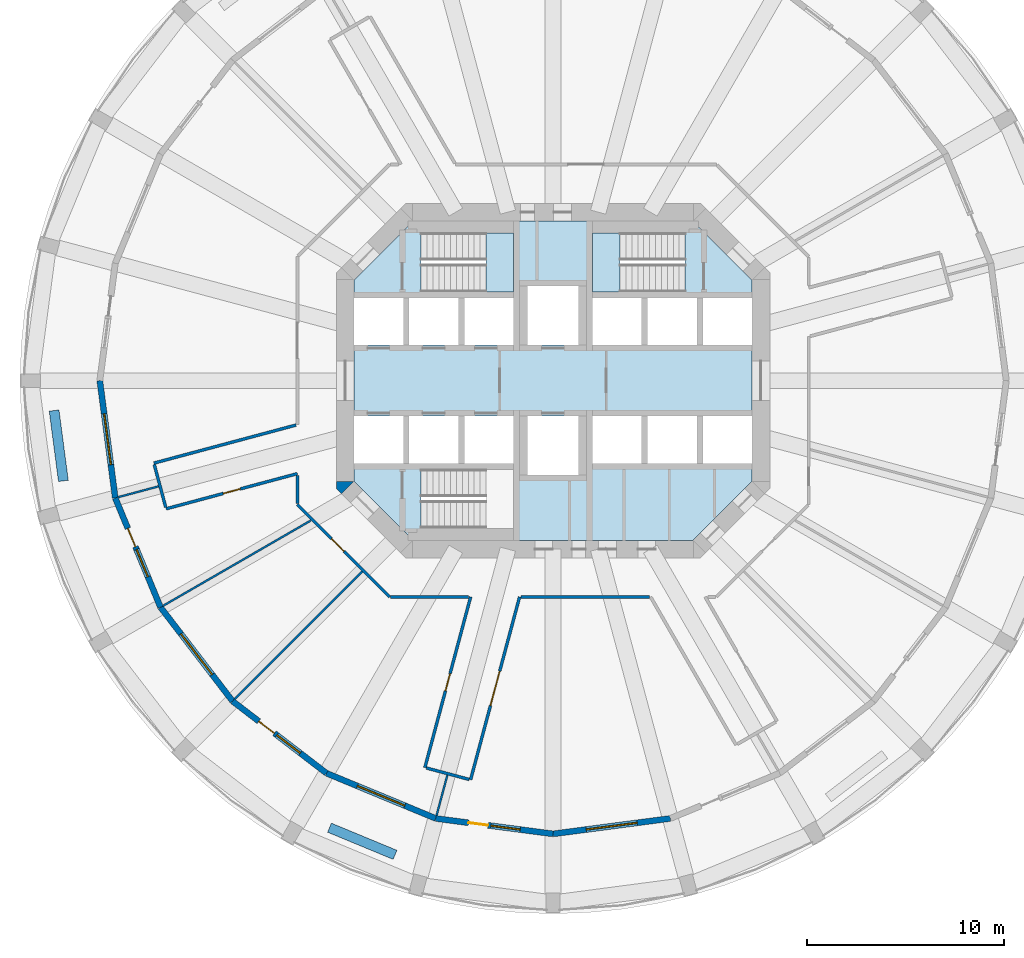
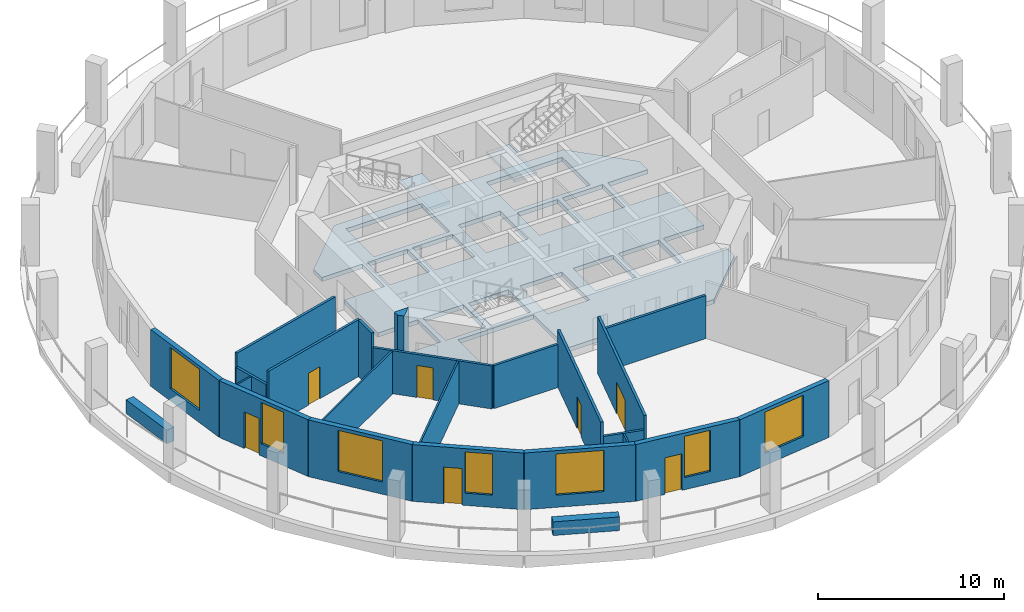
# One storey, part 2 of 9: 24 walls, 7 doors, 7 windows, 3 slabs, 14 openings, 2 elements without a shape of their own.
"""IFC4 building model written with IfcOpenShell, lengths in metres."""

from ifc_helpers import new_model, si_unit, direction, frame, frame_2d, origin, place, context, subcontext, project, spatial, polyline, rectangle, outline, extrude, material, layer, layer_set, type_object, element, fill, aggregate, save


model = new_model("IFC4")

# Units and contexts
model_context = context("Model", 3, precision=1e-05, world=origin(), true_north=direction((0.0, 1.0)))
body_context = subcontext(model_context, "Body", "Model", "MODEL_VIEW")
ifc_project = project(units=[si_unit("LENGTHUNIT", "METRE"), si_unit("AREAUNIT", "SQUARE_METRE"), si_unit("VOLUMEUNIT", "CUBIC_METRE"), si_unit("PLANEANGLEUNIT", "RADIAN"), si_unit("MASSUNIT", "GRAM", prefix="KILO")], contexts=[model_context])

# Site, building, storey
site_placement = place(None, origin())
site = spatial("IfcSite", under=ifc_project, at=site_placement, CompositionType="ELEMENT")
building_placement = place(site_placement, origin())
building = spatial("IfcBuilding", under=site, at=building_placement, Name="Torre Triforio", CompositionType="ELEMENT")
storey_placement = place(building_placement, frame((0.0, 0.0, 59.0)))
storey = spatial("IfcBuildingStorey", under=building, at=storey_placement, Name="L12", CompositionType="ELEMENT", Elevation=59.0)

# Slab
ifc_material_1 = material(Name="Concrete C60", Category="concrete")
ifc_layer_1 = layer(ifc_material_1, 0.280029296875)
ifc_layer_set_1 = layer_set([ifc_layer_1], Name="Concrete C60")
slab_type_1 = type_object("IfcSlabType", Name="Core floor slab 280 mm C60 REI 120", PredefinedType="FLOOR", material=ifc_layer_set_1)
slab_1_placement = place(storey_placement, frame((0.0, 0.0, -0.280029296875)))
element("IfcSlab", 1, at=slab_1_placement, inside=storey, type_object=slab_type_1, Name="Core floor slab", PredefinedType="FLOOR", context=body_context, shape_type="SweptSolid", body=[
    extrude(outline(polyline([(10.10009765625, -5.10009765625), (7.10009765625, -8.10009765625), (-7.10009765625, -8.10009765625), (-10.10009765625, -5.10009765625), (-10.10009765625, -4.199951171875), (-7.60009765625, -4.199951171875), (-7.60009765625, -1.800048828125), (-10.10009765625, -1.800048828125), (-10.10009765625, 1.800048828125), (-7.60009765625, 1.800048828125), (-7.60009765625, 4.199951171875), (-10.10009765625, 4.199951171875), (-10.10009765625, 5.10009765625), (-7.10009765625, 8.10009765625), (7.10009765625, 8.10009765625), (10.10009765625, 5.10009765625), (10.10009765625, 4.199951171875), (7.60009765625, 4.199951171875), (7.60009765625, 1.800048828125), (10.10009765625, 1.800048828125), (10.10009765625, -1.800048828125), (7.60009765625, -1.800048828125), (7.60009765625, -4.199951171875), (10.10009765625, -4.199951171875), (10.10009765625, -5.10009765625)]), holes=[polyline([(-2.0, -4.5), (-6.696044921875, -4.5), (-6.696044921875, -7.5), (-2.0, -7.5), (-2.0, -4.5)]), polyline([(-4.800048828125, -1.800048828125), (-7.300048828125, -1.800048828125), (-7.300048828125, -4.199951171875), (-4.800048828125, -4.199951171875), (-4.800048828125, -1.800048828125)]), polyline([(-2.0, -1.800048828125), (-4.5, -1.800048828125), (-4.5, -4.199951171875), (-2.0, -4.199951171875), (-2.0, -1.800048828125)]), polyline([(-4.800048828125, 4.199951171875), (-7.300048828125, 4.199951171875), (-7.300048828125, 1.800048828125), (-4.800048828125, 1.800048828125), (-4.800048828125, 4.199951171875)]), polyline([(-2.0, 4.199951171875), (-4.5, 4.199951171875), (-4.5, 1.800048828125), (-2.0, 1.800048828125), (-2.0, 4.199951171875)]), polyline([(1.300048828125, 4.800048828125), (-1.300048828125, 4.800048828125), (-1.300048828125, 1.800048828125), (1.300048828125, 1.800048828125), (1.300048828125, 4.800048828125)]), polyline([(-2.0, 7.5), (-6.696044921875, 7.5), (-6.696044921875, 4.5), (-2.0, 4.5), (-2.0, 7.5)]), polyline([(1.300048828125, -1.800048828125), (-1.300048828125, -1.800048828125), (-1.300048828125, -4.800048828125), (1.300048828125, -4.800048828125), (1.300048828125, -1.800048828125)]), polyline([(4.5, -1.800048828125), (2.0, -1.800048828125), (2.0, -4.199951171875), (4.5, -4.199951171875), (4.5, -1.800048828125)]), polyline([(7.300048828125, -1.800048828125), (4.800048828125, -1.800048828125), (4.800048828125, -4.199951171875), (7.300048828125, -4.199951171875), (7.300048828125, -1.800048828125)]), polyline([(4.5, 4.199951171875), (2.0, 4.199951171875), (2.0, 1.800048828125), (4.5, 1.800048828125), (4.5, 4.199951171875)]), polyline([(7.300048828125, 4.199951171875), (4.800048828125, 4.199951171875), (4.800048828125, 1.800048828125), (7.300048828125, 1.800048828125), (7.300048828125, 4.199951171875)]), polyline([(6.696044921875, 4.5), (6.696044921875, 7.5), (2.0, 7.5), (2.0, 4.5), (6.696044921875, 4.5)])]), origin(), (0.0, 0.0, 1.0), 0.280029296875),
])

# Stair, slab
ifc_material_2 = material(Name="Concrete C40", Category="concrete")
stair_type = type_object("IfcStairType", Name="STAIR HALF-TURN", PredefinedType="HALF_TURN_STAIR", material=ifc_material_2)
stair_1_placement = place(storey_placement, origin())
stair_1 = element("IfcStair", 2, at=stair_1_placement, inside=storey, type_object=stair_type, Name="Exit stair 1", PredefinedType="HALF_TURN_STAIR")
ifc_layer_2 = layer(ifc_material_2, 0.199951171875)
ifc_layer_set_2 = layer_set([ifc_layer_2], Name="Concrete C40")
slab_type_2 = type_object("IfcSlabType", Name="STAIR LANDING 200", PredefinedType="LANDING", material=ifc_layer_set_2)
slab_2_placement = place(storey_placement, frame((0.0, 0.0, 1.800048828125)))
slab_2 = element("IfcSlab", 3, at=slab_2_placement, type_object=slab_type_2, Name="ST1 landing 1", PredefinedType="LANDING", context=body_context, shape_type="SweptSolid", body=[
    extrude(outline(polyline([(-2.0, 4.5), (-2.0, 7.5), (-3.39990234375, 7.5), (-3.39990234375, 4.5), (-2.0, 4.5)])), origin(), (0.0, 0.0, 1.0), 0.199951171875),
])
aggregate(stair_1, [slab_2])

stair_2_placement = place(storey_placement, origin())
stair_2 = element("IfcStair", 4, at=stair_2_placement, inside=storey, type_object=stair_type, Name="Exit stair 2", PredefinedType="HALF_TURN_STAIR")
slab_3_placement = place(storey_placement, frame((0.0, 0.0, 1.800048828125)))
slab_3 = element("IfcSlab", 5, at=slab_3_placement, type_object=slab_type_2, Name="ST2 landing 1", PredefinedType="LANDING", context=body_context, shape_type="SweptSolid", body=[
    extrude(outline(polyline([(3.39990234375, 4.5), (3.39990234375, 7.5), (2.0, 7.5), (2.0, 4.5), (3.39990234375, 4.5)])), origin(), (0.0, 0.0, 1.0), 0.199951171875),
])
aggregate(stair_2, [slab_3])

# Walls
ifc_layer_3 = layer(ifc_material_1, 0.89990234375)
ifc_layer_set_3 = layer_set([ifc_layer_3], Name="Concrete C60")
wall_type_1 = type_object("IfcWallType", Name="Core wall 900 mm C60 EI 120", PredefinedType="SHEAR", material=ifc_layer_set_3)
wall_1_placement = place(storey_placement, frame((0.0, 0.0, -0.280029296875)))
element("IfcWall", 6, at=wall_1_placement, inside=storey, type_object=wall_type_1, Name="Core wall", PredefinedType="SHEAR", context=body_context, shape_type="SweptSolid", body=[
    extrude(outline(polyline([(-11.0, -5.472900390625), (-11.0, -5.1298828125), (-10.1298828125, -5.1298828125), (-10.736328125, -5.736328125), (-11.0, -5.472900390625)])), origin(), (0.0, 0.0, 1.0), 4.0),
])
ifc_material_3 = material(Name="Plasterboard on metal studs")
ifc_layer_4 = layer(ifc_material_3, 0.14990234375)
ifc_layer_set_4 = layer_set([ifc_layer_4], Name="Plasterboard on metal studs")
wall_type_2 = type_object("IfcWallType", Name="Corridor and tenancy wall 150 mm EI 60", PredefinedType="PARTITIONING", material=ifc_layer_set_4)
wall_2_placement = place(storey_placement, frame((-19.65380859375, -6.430908203125, 0.0), z_axis=(0.0, 0.0, 1.0), x_axis=(-0.258891558609, 0.965906393436, 0.0)))
element("IfcWall", 7, at=wall_2_placement, inside=storey, type_object=wall_type_2, Name="Partition 1", PredefinedType="PARTITIONING", context=body_context, shape_type="SweptSolid", body=[
    extrude(rectangle(XDim=2.25, YDim=0.14990234375, at=frame_2d((1.125, 0.0))), origin(), (0.0, 0.0, 1.0), 2.820068359375),
])
wall_3_placement = place(storey_placement, frame((-20.255615234375, -4.185302734375, 0.0), z_axis=(0.0, 0.0, 1.0), x_axis=(0.965924840231, 0.258822725092, 0.0)))
element("IfcWall", 8, at=wall_3_placement, inside=storey, type_object=wall_type_2, Name="Partition 2", PredefinedType="PARTITIONING", context=body_context, shape_type="SweptSolid", body=[
    extrude(rectangle(XDim=7.465087890625, YDim=0.14990234375, at=frame_2d((3.732421875, 0.0))), origin(), (0.0, 0.0, 1.0), 3.719970703125),
])
wall_4_placement = place(storey_placement, frame((4.8857421875, -10.97509765625, 0.0), z_axis=(0.0, 0.0, 1.0), x_axis=(-1.0, 0.0, 0.0)))
element("IfcWall", 9, at=wall_4_placement, inside=storey, type_object=wall_type_2, Name="Partition 21", PredefinedType="PARTITIONING", context=body_context, shape_type="SweptSolid", body=[
    extrude(rectangle(XDim=6.51171875, YDim=0.14990234375, at=frame_2d((3.255859375, 0.0))), origin(), (0.0, 0.0, 1.0), 2.820068359375),
])

# Wall, opening, door
wall_5_placement = place(storey_placement, frame((-1.698486328125, -10.97509765625, 0.0), z_axis=(0.0, 0.0, 1.0), x_axis=(-0.258829650889, -0.965922984415, 0.0)))
wall_5 = element("IfcWall", 10, at=wall_5_placement, inside=storey, type_object=wall_type_2, Name="Partition 22", PredefinedType="PARTITIONING", context=body_context, shape_type="SweptSolid", body=[
    extrude(rectangle(XDim=9.60791015625, YDim=0.14990234375, at=frame_2d((4.803955078125, 0.0))), origin(), (0.0, 0.0, 1.0), 3.719970703125),
])
opening_1_placement = place(wall_5_placement, frame((3.904052734375, 0.0, 0.0)))
opening_1 = element("IfcOpeningElement", 11, at=opening_1_placement, cuts=wall_5, Name="Opening N4-05", PredefinedType="OPENING", context=body_context, shape_type="SweptSolid", body=[
    extrude(rectangle(XDim=1.800048828125, YDim=2.10009765625, at=frame_2d((0.89990234375, 1.050048828125))), frame((0.0, 0.0849609375, 0.0), z_axis=(0.0, -1.0, 0.0), x_axis=(1.0, 0.0, 0.0)), (0.0, 0.0, 1.0), 0.169921875),
])
ifc_material_4 = material(Name="Timber", Category="wood")
door_type_1 = type_object("IfcDoorType", Name="Door 1800 x 2100 double leaf EI 30", OperationType="DOUBLE_DOOR_SINGLE_SWING", PredefinedType="DOOR", material=ifc_material_4)
door_1_placement = place(opening_1_placement, origin())
door_1 = element("IfcDoor", 12, at=door_1_placement, inside=storey, type_object=door_type_1, Name="Door N4-05", OperationType="DOUBLE_DOOR_SINGLE_SWING", OverallHeight=2.10009765625, OverallWidth=1.800048828125, PredefinedType="DOOR", context=body_context, shape_type="SweptSolid", body=[
    extrude(rectangle(XDim=1.800048828125, YDim=2.10009765625, at=frame_2d((0.89990234375, 1.050048828125))), frame((0.0, 0.02490234375, 0.0), z_axis=(0.0, -1.0, 0.0), x_axis=(1.0, 0.0, 0.0)), (0.0, 0.0, 1.0), 0.050048828125),
])
fill(opening_1, door_1)

# Wall
wall_6_placement = place(storey_placement, frame((-4.257568359375, -20.236328125, 0.0), z_axis=(0.0, 0.0, 1.0), x_axis=(-0.965906393436, 0.258891558609, 0.0)))
element("IfcWall", 13, at=wall_6_placement, inside=storey, type_object=wall_type_2, Name="Partition 23", PredefinedType="PARTITIONING", context=body_context, shape_type="SweptSolid", body=[
    extrude(rectangle(XDim=2.25, YDim=0.14990234375, at=frame_2d((1.125, 0.0))), origin(), (0.0, 0.0, 1.0), 2.820068359375),
])

# Wall, opening, door
wall_7_placement = place(storey_placement, frame((-6.50341796875, -19.634521484375, 0.0), z_axis=(0.0, 0.0, 1.0), x_axis=(0.258821842436, 0.965925076742, 0.0)))
wall_7 = element("IfcWall", 14, at=wall_7_placement, inside=storey, type_object=wall_type_2, Name="Partition 24", PredefinedType="PARTITIONING", context=body_context, shape_type="SweptSolid", body=[
    extrude(rectangle(XDim=8.96484375, YDim=0.14990234375, at=frame_2d((4.482421875, 0.0))), origin(), (0.0, 0.0, 1.0), 3.719970703125),
])
opening_2_placement = place(wall_7_placement, frame((4.032470703125, 0.0, 0.0)))
opening_2 = element("IfcOpeningElement", 15, at=opening_2_placement, cuts=wall_7, Name="Opening N4-04", PredefinedType="OPENING", context=body_context, shape_type="SweptSolid", body=[
    extrude(rectangle(XDim=0.89990234375, YDim=2.10009765625, at=frame_2d((0.449951171875, 1.050048828125))), frame((0.0, 0.0849609375, 0.0), z_axis=(0.0, -1.0, 0.0), x_axis=(1.0, 0.0, 0.0)), (0.0, 0.0, 1.0), 0.169921875),
])
door_type_2 = type_object("IfcDoorType", Name="Door 900 x 2100 single leaf EI 30", OperationType="NOTDEFINED", PredefinedType="DOOR", material=ifc_material_4)
door_2_placement = place(opening_2_placement, origin())
door_2 = element("IfcDoor", 16, at=door_2_placement, inside=storey, type_object=door_type_2, Name="Door N4-04", OperationType="SINGLE_SWING_RIGHT", OverallHeight=2.10009765625, OverallWidth=0.89990234375, PredefinedType="DOOR", context=body_context, shape_type="SweptSolid", body=[
    extrude(rectangle(XDim=0.89990234375, YDim=2.10009765625, at=frame_2d((0.449951171875, 1.050048828125))), frame((0.0, 0.02490234375, 0.0), z_axis=(0.0, -1.0, 0.0), x_axis=(1.0, 0.0, 0.0)), (0.0, 0.0, 1.0), 0.050048828125),
])
fill(opening_2, door_2)

# Wall
wall_8_placement = place(storey_placement, frame((-4.280517578125, -10.97509765625, 0.0), z_axis=(0.0, 0.0, 1.0), x_axis=(-1.0, 0.0, 0.0)))
element("IfcWall", 17, at=wall_8_placement, inside=storey, type_object=wall_type_2, Name="Partition 25", PredefinedType="PARTITIONING", context=body_context, shape_type="SweptSolid", body=[
    extrude(rectangle(XDim=3.957763671875, YDim=0.14990234375, at=frame_2d((1.97900390625, 0.0))), origin(), (0.0, 0.0, 1.0), 2.820068359375),
])

# Wall, opening, door
wall_9_placement = place(storey_placement, frame((-8.291015625, -10.97509765625, 0.0), z_axis=(0.0, 0.0, 1.0), x_axis=(-0.707106781187, 0.707106781187, 0.0)))
wall_9 = element("IfcWall", 18, at=wall_9_placement, inside=storey, type_object=wall_type_2, Name="Partition 26", PredefinedType="PARTITIONING", context=body_context, shape_type="SweptSolid", body=[
    extrude(rectangle(XDim=6.624267578125, YDim=0.14990234375, at=frame_2d((3.31201171875, 0.0))), origin(), (0.0, 0.0, 1.0), 2.820068359375),
])
opening_3_placement = place(wall_9_placement, frame((3.27392578125, 0.0, 0.0)))
opening_3 = element("IfcOpeningElement", 19, at=opening_3_placement, cuts=wall_9, Name="Opening N4-03", PredefinedType="OPENING", context=body_context, shape_type="SweptSolid", body=[
    extrude(rectangle(XDim=0.89990234375, YDim=2.10009765625, at=frame_2d((0.449951171875, 1.050048828125))), frame((0.0, 0.0849609375, 0.0), z_axis=(0.0, -1.0, 0.0), x_axis=(1.0, 0.0, 0.0)), (0.0, 0.0, 1.0), 0.169921875),
])
door_3_placement = place(opening_3_placement, origin())
door_3 = element("IfcDoor", 20, at=door_3_placement, inside=storey, type_object=door_type_2, Name="Door N4-03", OperationType="SINGLE_SWING_LEFT", OverallHeight=2.10009765625, OverallWidth=0.89990234375, PredefinedType="DOOR", context=body_context, shape_type="SweptSolid", body=[
    extrude(rectangle(XDim=0.89990234375, YDim=2.10009765625, at=frame_2d((0.449951171875, 1.050048828125))), frame((0.0, 0.02490234375, 0.0), z_axis=(0.0, -1.0, 0.0), x_axis=(1.0, 0.0, 0.0)), (0.0, 0.0, 1.0), 0.050048828125),
])
fill(opening_3, door_3)

# Wall
wall_10_placement = place(storey_placement, frame((-12.97509765625, -6.23828125, 0.0), z_axis=(0.0, 0.0, 1.0), x_axis=(0.0, 1.0, 0.0)))
element("IfcWall", 21, at=wall_10_placement, inside=storey, type_object=wall_type_2, Name="Partition 27", PredefinedType="PARTITIONING", context=body_context, shape_type="SweptSolid", body=[
    extrude(rectangle(XDim=1.421875, YDim=0.14990234375, at=frame_2d((0.7109375, 0.0))), origin(), (0.0, 0.0, 1.0), 3.719970703125),
])

# Wall, opening, door
wall_11_placement = place(storey_placement, frame((-12.97509765625, -4.718994140625, 0.0), z_axis=(0.0, 0.0, 1.0), x_axis=(-0.965924499418, -0.258823997003, 0.0)))
wall_11 = element("IfcWall", 22, at=wall_11_placement, inside=storey, type_object=wall_type_2, Name="Partition 28", PredefinedType="PARTITIONING", context=body_context, shape_type="SweptSolid", body=[
    extrude(rectangle(XDim=6.894287109375, YDim=0.14990234375, at=frame_2d((3.447265625, 0.0))), origin(), (0.0, 0.0, 1.0), 3.719970703125),
])
opening_4_placement = place(wall_11_placement, frame((2.997314453125, 0.0, 0.0)))
opening_4 = element("IfcOpeningElement", 23, at=opening_4_placement, cuts=wall_11, Name="Opening N4-02", PredefinedType="OPENING", context=body_context, shape_type="SweptSolid", body=[
    extrude(rectangle(XDim=0.89990234375, YDim=2.10009765625, at=frame_2d((0.449951171875, 1.050048828125))), frame((0.0, 0.0849609375, 0.0), z_axis=(0.0, -1.0, 0.0), x_axis=(1.0, 0.0, 0.0)), (0.0, 0.0, 1.0), 0.169921875),
])
door_4_placement = place(opening_4_placement, origin())
door_4 = element("IfcDoor", 24, at=door_4_placement, inside=storey, type_object=door_type_2, Name="Door N4-02", OperationType="SINGLE_SWING_LEFT", OverallHeight=2.10009765625, OverallWidth=0.89990234375, PredefinedType="DOOR", context=body_context, shape_type="SweptSolid", body=[
    extrude(rectangle(XDim=0.89990234375, YDim=2.10009765625, at=frame_2d((0.449951171875, 1.050048828125))), frame((0.0, 0.02490234375, 0.0), z_axis=(0.0, -1.0, 0.0), x_axis=(1.0, 0.0, 0.0)), (0.0, 0.0, 1.0), 0.050048828125),
])
fill(opening_4, door_4)

# Walls
ifc_layer_5 = layer(ifc_material_3, 0.10009765625)
ifc_layer_set_5 = layer_set([ifc_layer_5], Name="Plasterboard on metal studs")
wall_type_3 = type_object("IfcWallType", Name="Partition 100 mm board on metal studs", PredefinedType="PARTITIONING", material=ifc_layer_set_5)
wall_12_placement = place(storey_placement, frame((-20.017578125, -5.36376953125, 0.0), z_axis=(0.0, 0.0, 1.0), x_axis=(-0.965927422152, -0.258813089189, 0.0)))
element("IfcWall", 25, at=wall_12_placement, inside=storey, type_object=wall_type_3, Name="Partition 33", PredefinedType="PARTITIONING", context=body_context, shape_type="SweptSolid", body=[
    extrude(rectangle(XDim=2.113037109375, YDim=0.10009765625, at=frame_2d((1.056640625, 0.0))), origin(), (0.0, 0.0, 1.0), 2.820068359375),
])
wall_13_placement = place(storey_placement, frame((-12.294189453125, -7.097900390625, 0.0), z_axis=(0.0, 0.0, 1.0), x_axis=(-0.866010547425, -0.500025731086, 0.0)))
element("IfcWall", 26, at=wall_13_placement, inside=storey, type_object=wall_type_3, Name="Partition 34", PredefinedType="PARTITIONING", context=body_context, shape_type="SweptSolid", body=[
    extrude(rectangle(XDim=8.640625, YDim=0.10009765625, at=frame_2d((4.3203125, 0.0))), origin(), (0.0, 0.0, 1.0), 2.820068359375),
])
wall_14_placement = place(storey_placement, frame((-9.68603515625, -9.68603515625, 0.0), z_axis=(0.0, 0.0, 1.0), x_axis=(-0.707106781187, -0.707106781187, 0.0)))
element("IfcWall", 27, at=wall_14_placement, inside=storey, type_object=wall_type_3, Name="Partition 35", PredefinedType="PARTITIONING", context=body_context, shape_type="SweptSolid", body=[
    extrude(rectangle(XDim=9.138427734375, YDim=0.10009765625, at=frame_2d((4.5693359375, 0.0))), origin(), (0.0, 0.0, 1.0), 2.820068359375),
])
wall_15_placement = place(storey_placement, frame((-5.36376953125, -20.017578125, 0.0), z_axis=(0.0, 0.0, 1.0), x_axis=(-0.258813089189, -0.965927422152, 0.0)))
element("IfcWall", 28, at=wall_15_placement, inside=storey, type_object=wall_type_3, Name="Partition 36", PredefinedType="PARTITIONING", context=body_context, shape_type="SweptSolid", body=[
    extrude(rectangle(XDim=2.113037109375, YDim=0.10009765625, at=frame_2d((1.056640625, 0.0))), origin(), (0.0, 0.0, 1.0), 2.820068359375),
])
ifc_material_5 = material(Name="Limestone cladding", Category="masonry")
ifc_layer_6 = layer(ifc_material_5, 0.10009765625)
ifc_layer_7 = layer(ifc_material_2, 0.39990234375)
ifc_layer_set_6 = layer_set([ifc_layer_6, ifc_layer_7], Name="Limestone cladding / Concrete C40")
wall_type_4 = type_object("IfcWallType", Name="Planter wall 500", PredefinedType="PARAPET", material=ifc_layer_set_6)
for number, where, z_axis, x_axis, name in (
    (29, (-25.318603515625, -1.517578125, 0.0), (0.0, 0.0, 1.0), (0.130542222659, -0.991442750795, 0.0), "Planter L12 bay 13"),
    (30, (-11.344970703125, -22.685302734375, 0.0), (0.0, 0.0, 1.0), (0.923885420167, -0.382669217998, 0.0), "Planter L12 bay 17"),
):
    element("IfcWall", number, at=place(storey_placement, frame(where, z_axis=z_axis, x_axis=x_axis)), inside=storey, type_object=wall_type_4, Name=name, PredefinedType="PARAPET", context=body_context, shape_type="SweptSolid", body=[
        extrude(rectangle(XDim=3.60009765625, YDim=0.5, at=frame_2d((1.800048828125, 0.0))), origin(), (0.0, 0.0, 1.0), 0.89990234375),
    ])

# Wall, opening, window
ifc_layer_8 = layer(ifc_material_5, 0.10009765625)
ifc_layer_9 = layer(ifc_material_2, 0.199951171875)
ifc_layer_set_7 = layer_set([ifc_layer_8, ifc_layer_9], Name="Limestone cladding / Concrete C40")
wall_type_5 = type_object("IfcWallType", Name="Stone-faced composite wall 300", PredefinedType="STANDARD", material=ifc_layer_set_7)
wall_16_placement = place(storey_placement, frame((-23.0, 0.0, 0.0), z_axis=(0.0, 0.0, 1.0), x_axis=(0.130522880875, -0.991445297315, 0.0)))
wall_16 = element("IfcWall", 31, at=wall_16_placement, inside=storey, type_object=wall_type_5, Name="External wall L12 bay 13", PredefinedType="STANDARD", context=body_context, shape_type="SweptSolid", body=[
    extrude(rectangle(XDim=6.004150390625, YDim=0.300048828125, at=frame_2d((3.001953125, 0.0))), origin(), (0.0, 0.0, 1.0), 3.719970703125),
])
opening_5_placement = place(wall_16_placement, frame((1.7021484375, 0.0, 0.800048828125)))
opening_5 = element("IfcOpeningElement", 32, at=opening_5_placement, cuts=wall_16, Name="Opening N4-W13", PredefinedType="OPENING", context=body_context, shape_type="SweptSolid", body=[
    extrude(rectangle(XDim=2.60009765625, YDim=2.699951171875, at=frame_2d((1.300048828125, 1.35009765625))), frame((0.0, 0.159912109375, 0.0), z_axis=(0.0, -1.0, 0.0), x_axis=(1.0, 0.0, 0.0)), (0.0, 0.0, 1.0), 0.320068359375),
])
ifc_material_6 = material(Name="Aluminium frame with clear double glazing", Category="aluminium")
window_type_1 = type_object("IfcWindowType", Name="Punched window 2600 x 2700", PartitioningType="DOUBLE_PANEL_VERTICAL", PredefinedType="WINDOW", material=ifc_material_6)
window_1_placement = place(opening_5_placement, origin())
window_1 = element("IfcWindow", 33, at=window_1_placement, inside=storey, type_object=window_type_1, Name="Window EWN2 L12 bay 13", OverallHeight=2.699951171875, OverallWidth=2.60009765625, PartitioningType="SINGLE_PANEL", PredefinedType="WINDOW", context=body_context, shape_type="SweptSolid", body=[
    extrude(rectangle(XDim=2.60009765625, YDim=2.699951171875, at=frame_2d((1.300048828125, 1.35009765625))), frame((0.0, 0.030029296875, 0.0), z_axis=(0.0, -1.0, 0.0), x_axis=(1.0, 0.0, 0.0)), (0.0, 0.0, 1.0), 0.06005859375),
])
fill(opening_5, window_1)

# Wall, openings, door, window
wall_17_placement = place(storey_placement, frame((-22.21630859375, -5.952880859375, 0.0), z_axis=(0.0, 0.0, 1.0), x_axis=(0.382671411433, -0.923884511653, 0.0)))
wall_17 = element("IfcWall", 34, at=wall_17_placement, inside=storey, type_object=wall_type_5, Name="External wall L12 bay 14", PredefinedType="STANDARD", context=body_context, shape_type="SweptSolid", body=[
    extrude(rectangle(XDim=6.004150390625, YDim=0.300048828125, at=frame_2d((3.001953125, 0.0))), origin(), (0.0, 0.0, 1.0), 3.719970703125),
])
opening_6_placement = place(wall_17_placement, frame((1.677001953125, 0.0, 0.0)))
opening_6 = element("IfcOpeningElement", 35, at=opening_6_placement, cuts=wall_17, Name="Opening N4-D14", PredefinedType="OPENING", context=body_context, shape_type="SweptSolid", body=[
    extrude(rectangle(XDim=1.0, YDim=2.39990234375, at=frame_2d((0.5, 1.199951171875))), frame((0.0, 0.159912109375, 0.0), z_axis=(0.0, -1.0, 0.0), x_axis=(1.0, 0.0, 0.0)), (0.0, 0.0, 1.0), 0.320068359375),
])
opening_7_placement = place(wall_17_placement, frame((2.8271484375, 0.0, 0.800048828125)))
opening_7 = element("IfcOpeningElement", 36, at=opening_7_placement, cuts=wall_17, Name="Opening N4-W14A", PredefinedType="OPENING", context=body_context, shape_type="SweptSolid", body=[
    extrude(rectangle(XDim=1.5, YDim=2.699951171875, at=frame_2d((0.75, 1.35009765625))), frame((0.0, 0.159912109375, 0.0), z_axis=(0.0, -1.0, 0.0), x_axis=(1.0, 0.0, 0.0)), (0.0, 0.0, 1.0), 0.320068359375),
])
door_type_3 = type_object("IfcDoorType", Name="Loggia door 1000 x 2400", OperationType="NOTDEFINED", PredefinedType="DOOR", material=ifc_material_6)
door_5_placement = place(opening_6_placement, origin())
door_5 = element("IfcDoor", 37, at=door_5_placement, inside=storey, type_object=door_type_3, Name="Loggia door L12 bay 14", OperationType="SINGLE_SWING_LEFT", OverallHeight=2.39990234375, OverallWidth=1.0, PredefinedType="DOOR", context=body_context, shape_type="SweptSolid", body=[
    extrude(rectangle(XDim=1.0, YDim=2.39990234375, at=frame_2d((0.5, 1.199951171875))), frame((0.0, 0.02490234375, 0.0), z_axis=(0.0, -1.0, 0.0), x_axis=(1.0, 0.0, 0.0)), (0.0, 0.0, 1.0), 0.050048828125),
])
fill(opening_6, door_5)
window_type_2 = type_object("IfcWindowType", Name="Side window 1500 x 2700", PartitioningType="SINGLE_PANEL", PredefinedType="WINDOW", material=ifc_material_6)
window_2_placement = place(opening_7_placement, origin())
window_2 = element("IfcWindow", 38, at=window_2_placement, inside=storey, type_object=window_type_2, Name="Side window EWN12 L12 bay 14", OverallHeight=2.699951171875, OverallWidth=1.5, PartitioningType="SINGLE_PANEL", PredefinedType="WINDOW", context=body_context, shape_type="SweptSolid", body=[
    extrude(rectangle(XDim=1.5, YDim=2.699951171875, at=frame_2d((0.75, 1.35009765625))), frame((0.0, 0.030029296875, 0.0), z_axis=(0.0, -1.0, 0.0), x_axis=(1.0, 0.0, 0.0)), (0.0, 0.0, 1.0), 0.06005859375),
])
fill(opening_7, window_2)

# Wall, opening, window
wall_18_placement = place(storey_placement, frame((-19.918701171875, -11.5, 0.0), z_axis=(0.0, 0.0, 1.0), x_axis=(0.608778912074, -0.793339924758, 0.0)))
wall_18 = element("IfcWall", 39, at=wall_18_placement, inside=storey, type_object=wall_type_5, Name="External wall L12 bay 15", PredefinedType="STANDARD", context=body_context, shape_type="SweptSolid", body=[
    extrude(rectangle(XDim=6.004150390625, YDim=0.300048828125, at=frame_2d((3.001953125, 0.0))), origin(), (0.0, 0.0, 1.0), 3.719970703125),
])
opening_8_placement = place(wall_18_placement, frame((1.7021484375, 0.0, 0.800048828125)))
opening_8 = element("IfcOpeningElement", 40, at=opening_8_placement, cuts=wall_18, Name="Opening N4-W15", PredefinedType="OPENING", context=body_context, shape_type="SweptSolid", body=[
    extrude(rectangle(XDim=2.60009765625, YDim=2.699951171875, at=frame_2d((1.300048828125, 1.35009765625))), frame((0.0, 0.159912109375, 0.0), z_axis=(0.0, -1.0, 0.0), x_axis=(1.0, 0.0, 0.0)), (0.0, 0.0, 1.0), 0.320068359375),
])
window_3_placement = place(opening_8_placement, origin())
window_3 = element("IfcWindow", 41, at=window_3_placement, inside=storey, type_object=window_type_1, Name="Window EWN2 L12 bay 15", OverallHeight=2.699951171875, OverallWidth=2.60009765625, PartitioningType="SINGLE_PANEL", PredefinedType="WINDOW", context=body_context, shape_type="SweptSolid", body=[
    extrude(rectangle(XDim=2.60009765625, YDim=2.699951171875, at=frame_2d((1.300048828125, 1.35009765625))), frame((0.0, 0.030029296875, 0.0), z_axis=(0.0, -1.0, 0.0), x_axis=(1.0, 0.0, 0.0)), (0.0, 0.0, 1.0), 0.06005859375),
])
fill(opening_8, window_3)

# Wall, openings, door, window
wall_19_placement = place(storey_placement, frame((-16.263427734375, -16.263427734375, 0.0), z_axis=(0.0, 0.0, 1.0), x_axis=(0.793339924758, -0.608778912074, 0.0)))
wall_19 = element("IfcWall", 42, at=wall_19_placement, inside=storey, type_object=wall_type_5, Name="External wall L12 bay 16", PredefinedType="STANDARD", context=body_context, shape_type="SweptSolid", body=[
    extrude(rectangle(XDim=6.004150390625, YDim=0.300048828125, at=frame_2d((3.001953125, 0.0))), origin(), (0.0, 0.0, 1.0), 3.719970703125),
])
opening_9_placement = place(wall_19_placement, frame((1.677001953125, 0.0, 0.0)))
opening_9 = element("IfcOpeningElement", 43, at=opening_9_placement, cuts=wall_19, Name="Opening N4-D16", PredefinedType="OPENING", context=body_context, shape_type="SweptSolid", body=[
    extrude(rectangle(XDim=1.0, YDim=2.39990234375, at=frame_2d((0.5, 1.199951171875))), frame((0.0, 0.159912109375, 0.0), z_axis=(0.0, -1.0, 0.0), x_axis=(1.0, 0.0, 0.0)), (0.0, 0.0, 1.0), 0.320068359375),
])
opening_10_placement = place(wall_19_placement, frame((2.8271484375, 0.0, 0.800048828125)))
opening_10 = element("IfcOpeningElement", 44, at=opening_10_placement, cuts=wall_19, Name="Opening N4-W16A", PredefinedType="OPENING", context=body_context, shape_type="SweptSolid", body=[
    extrude(rectangle(XDim=1.5, YDim=2.699951171875, at=frame_2d((0.75, 1.35009765625))), frame((0.0, 0.159912109375, 0.0), z_axis=(0.0, -1.0, 0.0), x_axis=(1.0, 0.0, 0.0)), (0.0, 0.0, 1.0), 0.320068359375),
])
door_6_placement = place(opening_9_placement, origin())
door_6 = element("IfcDoor", 45, at=door_6_placement, inside=storey, type_object=door_type_3, Name="Loggia door L12 bay 16", OperationType="SINGLE_SWING_LEFT", OverallHeight=2.39990234375, OverallWidth=1.0, PredefinedType="DOOR", context=body_context, shape_type="SweptSolid", body=[
    extrude(rectangle(XDim=1.0, YDim=2.39990234375, at=frame_2d((0.5, 1.199951171875))), frame((0.0, 0.02490234375, 0.0), z_axis=(0.0, -1.0, 0.0), x_axis=(1.0, 0.0, 0.0)), (0.0, 0.0, 1.0), 0.050048828125),
])
fill(opening_9, door_6)
window_4_placement = place(opening_10_placement, origin())
window_4 = element("IfcWindow", 46, at=window_4_placement, inside=storey, type_object=window_type_2, Name="Side window EWN12 L12 bay 16", OverallHeight=2.699951171875, OverallWidth=1.5, PartitioningType="SINGLE_PANEL", PredefinedType="WINDOW", context=body_context, shape_type="SweptSolid", body=[
    extrude(rectangle(XDim=1.5, YDim=2.699951171875, at=frame_2d((0.75, 1.35009765625))), frame((0.0, 0.030029296875, 0.0), z_axis=(0.0, -1.0, 0.0), x_axis=(1.0, 0.0, 0.0)), (0.0, 0.0, 1.0), 0.06005859375),
])
fill(opening_10, window_4)

# Wall, opening, window
wall_20_placement = place(storey_placement, frame((-11.5, -19.918701171875, 0.0), z_axis=(0.0, 0.0, 1.0), x_axis=(0.923884511653, -0.382671411433, 0.0)))
wall_20 = element("IfcWall", 47, at=wall_20_placement, inside=storey, type_object=wall_type_5, Name="External wall L12 bay 17", PredefinedType="STANDARD", context=body_context, shape_type="SweptSolid", body=[
    extrude(rectangle(XDim=6.004150390625, YDim=0.300048828125, at=frame_2d((3.001953125, 0.0))), origin(), (0.0, 0.0, 1.0), 3.719970703125),
])
opening_11_placement = place(wall_20_placement, frame((1.7021484375, 0.0, 0.800048828125)))
opening_11 = element("IfcOpeningElement", 48, at=opening_11_placement, cuts=wall_20, Name="Opening N4-W17", PredefinedType="OPENING", context=body_context, shape_type="SweptSolid", body=[
    extrude(rectangle(XDim=2.60009765625, YDim=2.699951171875, at=frame_2d((1.300048828125, 1.35009765625))), frame((0.0, 0.159912109375, 0.0), z_axis=(0.0, -1.0, 0.0), x_axis=(1.0, 0.0, 0.0)), (0.0, 0.0, 1.0), 0.320068359375),
])
window_5_placement = place(opening_11_placement, origin())
window_5 = element("IfcWindow", 49, at=window_5_placement, inside=storey, type_object=window_type_1, Name="Window EWN2 L12 bay 17", OverallHeight=2.699951171875, OverallWidth=2.60009765625, PartitioningType="SINGLE_PANEL", PredefinedType="WINDOW", context=body_context, shape_type="SweptSolid", body=[
    extrude(rectangle(XDim=2.60009765625, YDim=2.699951171875, at=frame_2d((1.300048828125, 1.35009765625))), frame((0.0, 0.030029296875, 0.0), z_axis=(0.0, -1.0, 0.0), x_axis=(1.0, 0.0, 0.0)), (0.0, 0.0, 1.0), 0.06005859375),
])
fill(opening_11, window_5)

# Wall, openings, door, window
wall_21_placement = place(storey_placement, frame((-5.952880859375, -22.21630859375, 0.0), z_axis=(0.0, 0.0, 1.0), x_axis=(0.991445297315, -0.130522880875, 0.0)))
wall_21 = element("IfcWall", 50, at=wall_21_placement, inside=storey, type_object=wall_type_5, Name="External wall L12 bay 18", PredefinedType="STANDARD", context=body_context, shape_type="SweptSolid", body=[
    extrude(rectangle(XDim=6.004150390625, YDim=0.300048828125, at=frame_2d((3.001953125, 0.0))), origin(), (0.0, 0.0, 1.0), 3.719970703125),
])
opening_12_placement = place(wall_21_placement, frame((1.677001953125, 0.0, 0.0)))
opening_12 = element("IfcOpeningElement", 51, at=opening_12_placement, cuts=wall_21, Name="Opening N4-D18", PredefinedType="OPENING", context=body_context, shape_type="SweptSolid", body=[
    extrude(rectangle(XDim=1.0, YDim=2.39990234375, at=frame_2d((0.5, 1.199951171875))), frame((0.0, 0.159912109375, 0.0), z_axis=(0.0, -1.0, 0.0), x_axis=(1.0, 0.0, 0.0)), (0.0, 0.0, 1.0), 0.320068359375),
])
opening_13_placement = place(wall_21_placement, frame((2.8271484375, 0.0, 0.800048828125)))
opening_13 = element("IfcOpeningElement", 52, at=opening_13_placement, cuts=wall_21, Name="Opening N4-W18A", PredefinedType="OPENING", context=body_context, shape_type="SweptSolid", body=[
    extrude(rectangle(XDim=1.5, YDim=2.699951171875, at=frame_2d((0.75, 1.35009765625))), frame((0.0, 0.159912109375, 0.0), z_axis=(0.0, -1.0, 0.0), x_axis=(1.0, 0.0, 0.0)), (0.0, 0.0, 1.0), 0.320068359375),
])
door_7_placement = place(opening_12_placement, origin())
door_7 = element("IfcDoor", 53, at=door_7_placement, inside=storey, type_object=door_type_3, Name="Loggia door L12 bay 18", OperationType="SINGLE_SWING_LEFT", OverallHeight=2.39990234375, OverallWidth=1.0, PredefinedType="DOOR", context=body_context, shape_type="SweptSolid", body=[
    extrude(rectangle(XDim=1.0, YDim=2.39990234375, at=frame_2d((0.5, 1.199951171875))), frame((0.0, 0.02490234375, 0.0), z_axis=(0.0, -1.0, 0.0), x_axis=(1.0, 0.0, 0.0)), (0.0, 0.0, 1.0), 0.050048828125),
])
fill(opening_12, door_7)
window_6_placement = place(opening_13_placement, origin())
window_6 = element("IfcWindow", 54, at=window_6_placement, inside=storey, type_object=window_type_2, Name="Side window EWN12 L12 bay 18", OverallHeight=2.699951171875, OverallWidth=1.5, PartitioningType="SINGLE_PANEL", PredefinedType="WINDOW", context=body_context, shape_type="SweptSolid", body=[
    extrude(rectangle(XDim=1.5, YDim=2.699951171875, at=frame_2d((0.75, 1.35009765625))), frame((0.0, 0.030029296875, 0.0), z_axis=(0.0, -1.0, 0.0), x_axis=(1.0, 0.0, 0.0)), (0.0, 0.0, 1.0), 0.06005859375),
])
fill(opening_13, window_6)

# Wall, opening, window
wall_22_placement = place(storey_placement, frame((0.0, -23.0, 0.0), z_axis=(0.0, 0.0, 1.0), x_axis=(0.991445297315, 0.130522880875, 0.0)))
wall_22 = element("IfcWall", 55, at=wall_22_placement, inside=storey, type_object=wall_type_5, Name="External wall L12 bay 19", PredefinedType="STANDARD", context=body_context, shape_type="SweptSolid", body=[
    extrude(rectangle(XDim=6.004150390625, YDim=0.300048828125, at=frame_2d((3.001953125, 0.0))), origin(), (0.0, 0.0, 1.0), 3.719970703125),
])
opening_14_placement = place(wall_22_placement, frame((1.7021484375, 0.0, 0.800048828125)))
opening_14 = element("IfcOpeningElement", 56, at=opening_14_placement, cuts=wall_22, Name="Opening N4-W19", PredefinedType="OPENING", context=body_context, shape_type="SweptSolid", body=[
    extrude(rectangle(XDim=2.60009765625, YDim=2.699951171875, at=frame_2d((1.300048828125, 1.35009765625))), frame((0.0, 0.159912109375, 0.0), z_axis=(0.0, -1.0, 0.0), x_axis=(1.0, 0.0, 0.0)), (0.0, 0.0, 1.0), 0.320068359375),
])
window_7_placement = place(opening_14_placement, origin())
window_7 = element("IfcWindow", 57, at=window_7_placement, inside=storey, type_object=window_type_1, Name="Window EWN2 L12 bay 19", OverallHeight=2.699951171875, OverallWidth=2.60009765625, PartitioningType="SINGLE_PANEL", PredefinedType="WINDOW", context=body_context, shape_type="SweptSolid", body=[
    extrude(rectangle(XDim=2.60009765625, YDim=2.699951171875, at=frame_2d((1.300048828125, 1.35009765625))), frame((0.0, 0.030029296875, 0.0), z_axis=(0.0, -1.0, 0.0), x_axis=(1.0, 0.0, 0.0)), (0.0, 0.0, 1.0), 0.06005859375),
])
fill(opening_14, window_7)

save(model, "model.ifc")
